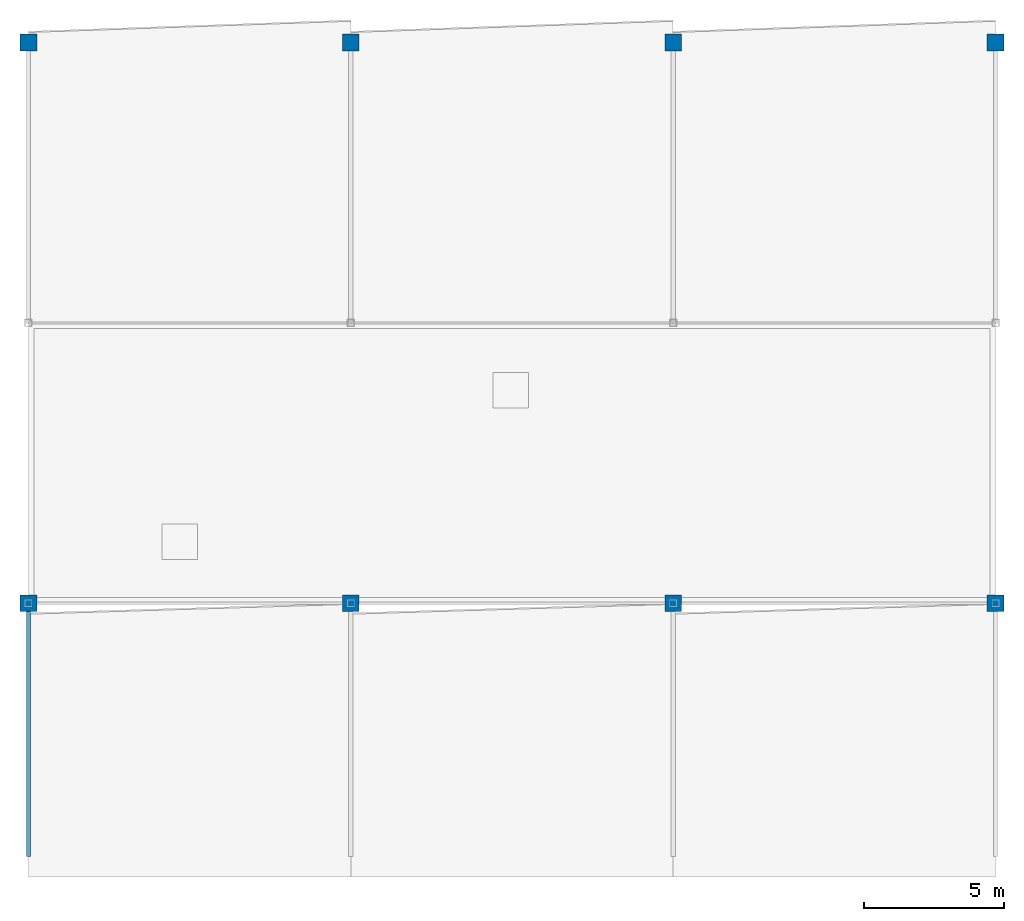
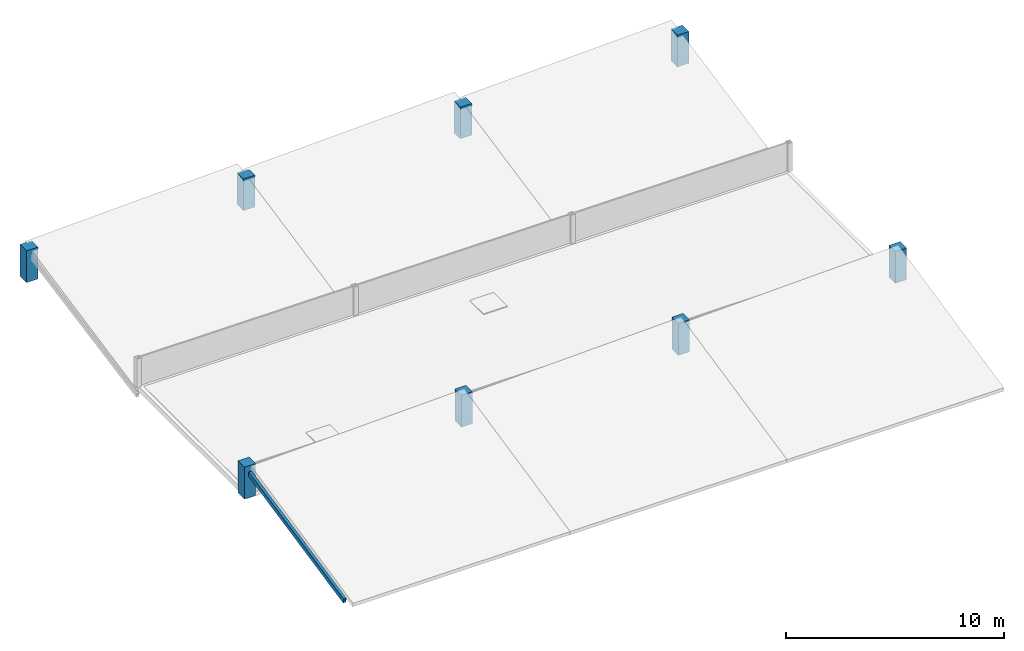
# One storey, part 1 of 6: 8 columns, 1 member.
"""IFC4 building model written with IfcOpenShell, lengths in metres."""

import ifcopenshell
import ifcopenshell.guid

model = None  # the IFC model being written
_history = None  # IfcOwnerHistory: only IFC2X3 demands one
_inside = {}  # id of a spatial element -> (the spatial element, [elements in it])
_under = {}  # id of a project, library or spatial element -> (it, [spatial elements below it])
_declared = {}  # id of a project -> (the project, [libraries it declares])
_typed = {}  # id of a type object -> (the type object, [elements of that type])
_made_of = {}  # id of a material, layer set ... -> (it, [elements and type objects made of it])


def new_model(schema):
    """Start an empty IFC model of exactly this schema.

    Asked for "IFC4X3", IfcOpenShell would pick the latest addendum, in which some entities
    have other attributes; the version numbers below select the first issue.
    IFC2X3 requires an IfcOwnerHistory on every rooted entity: one is made here for all.
    """
    global model, _history
    if schema == "IFC4X3":
        model = ifcopenshell.file(schema_version=(4, 3, 0, 0))
    else:
        model = ifcopenshell.file(schema=schema)
    _inside.clear()
    _under.clear()
    _declared.clear()
    _typed.clear()
    _made_of.clear()
    _history = None
    if model.schema == "IFC2X3":
        org = make("IfcOrganization", Name="unknown")
        user = make(
            "IfcPersonAndOrganization",
            ThePerson=make("IfcPerson", FamilyName="unknown"),
            TheOrganization=org,
        )
        app = make(
            "IfcApplication",
            ApplicationDeveloper=org,
            Version="unknown",
            ApplicationFullName="unknown",
            ApplicationIdentifier="unknown",
        )
        _history = make(
            "IfcOwnerHistory",
            OwningUser=user,
            OwningApplication=app,
            ChangeAction="ADDED",
            CreationDate=0,
        )
    return model


def make(cls, **values):
    """One entity of the class cls with the attributes given. An attribute that is None is left unset."""
    return model.create_entity(
        cls, **{name: value for name, value in values.items() if value is not None}
    )


def rooted(cls, **values):
    """An entity with a GlobalId (a new one), such as an element, a storey or a relation."""
    return make(cls, GlobalId=ifcopenshell.guid.new(), OwnerHistory=_history, **values)


def si_unit(unit_type, name, prefix=None):
    """IfcSIUnit, for example si_unit("LENGTHUNIT", "METRE", prefix="MILLI")."""
    return make("IfcSIUnit", UnitType=unit_type, Prefix=prefix, Name=name)


def assignment(units):
    """IfcUnitAssignment: the units of a project."""
    return None if units is None else make("IfcUnitAssignment", Units=units)


def point(xyz):
    """IfcCartesianPoint."""
    return None if xyz is None else make("IfcCartesianPoint", Coordinates=xyz)


def direction(xyz):
    """IfcDirection."""
    return None if xyz is None else make("IfcDirection", DirectionRatios=xyz)


def frame(location, z_axis=None, x_axis=None):
    """IfcAxis2Placement3D, a coordinate frame: its origin and axes. An axis left out is left unset."""
    return make(
        "IfcAxis2Placement3D",
        Location=point(location),
        Axis=direction(z_axis),
        RefDirection=direction(x_axis),
    )


def frame_2d(location, x_axis=None):
    """IfcAxis2Placement2D, a coordinate frame in the plane: its origin and x axis."""
    return make(
        "IfcAxis2Placement2D", Location=point(location), RefDirection=direction(x_axis)
    )


def origin():
    """The frame at (0, 0, 0) with its axes left unset."""
    return frame((0.0, 0.0, 0.0))


def origin_2d():
    """The frame at (0, 0) in the plane with its x axis left unset."""
    return frame_2d((0.0, 0.0))


def place(relative_to, where):
    """IfcLocalPlacement: puts the frame where relative to a parent placement (None: the world)."""
    return make(
        "IfcLocalPlacement", PlacementRelTo=relative_to, RelativePlacement=where
    )


def context(
    kind, dimensions, precision=None, world=None, true_north=None, identifier=None
):
    """IfcGeometricRepresentationContext, for example the 3D "Model" context."""
    return make(
        "IfcGeometricRepresentationContext",
        ContextIdentifier=identifier,
        ContextType=kind,
        CoordinateSpaceDimension=dimensions,
        Precision=precision,
        WorldCoordinateSystem=world,
        TrueNorth=true_north,
    )


def subcontext(parent, identifier, kind, view, scale=None):
    """IfcGeometricRepresentationSubContext, for example "Body" below "Model"."""
    return make(
        "IfcGeometricRepresentationSubContext",
        ContextIdentifier=identifier,
        ContextType=kind,
        ParentContext=parent,
        TargetScale=scale,
        TargetView=view,
    )


def project(units=None, contexts=None):
    """IfcProject with its units and contexts."""
    return rooted(
        "IfcProject",
        Name="project",
        RepresentationContexts=contexts,
        UnitsInContext=assignment(units),
    )


def spatial(cls, under=None, at=None, **own):
    """A site, building, storey or space (cls), placed at a placement, below another one or the project."""
    s = rooted(cls, ObjectPlacement=at, **own)
    if under is not None:
        _under.setdefault(under.id(), (under, []))[1].append(s)
    return s


def profile(cls, at=None, kind="AREA", **sizes):
    """A parametric profile (cls). Its sizes go by their IFC names, for example OverallWidth=200.0."""
    return make(cls, ProfileType=kind, Position=at, **sizes)


def rectangle(**sizes):
    """IfcRectangleProfileDef."""
    return profile("IfcRectangleProfileDef", **sizes)


def hollow_rectangle(**sizes):
    """IfcRectangleHollowProfileDef."""
    return profile("IfcRectangleHollowProfileDef", **sizes)


def extrude(swept, where, along, depth):
    """IfcExtrudedAreaSolid: the profile swept, set in the frame where, extruded along a direction by depth."""
    return make(
        "IfcExtrudedAreaSolid",
        SweptArea=swept,
        Position=where,
        ExtrudedDirection=direction(along),
        Depth=depth,
    )


def shape(context_of_items, identifier, shape_type, items):
    """IfcShapeRepresentation: the items that make up one representation, for example the "Body"."""
    return make(
        "IfcShapeRepresentation",
        ContextOfItems=context_of_items,
        RepresentationIdentifier=identifier,
        RepresentationType=shape_type,
        Items=items,
    )


def material(Name=None, Category=None):
    """IfcMaterial."""
    return make("IfcMaterial", Name=Name, Category=Category)


def material_profile(
    of_material, cross_section, Name=None, Category=None, Priority=None
):
    """IfcMaterialProfile: a cross section and its material."""
    return make(
        "IfcMaterialProfile",
        Name=Name,
        Material=of_material,
        Profile=cross_section,
        Priority=Priority,
        Category=Category,
    )


def profile_set(profiles, Name=None, composite=None):
    """IfcMaterialProfileSet."""
    return make(
        "IfcMaterialProfileSet",
        Name=Name,
        MaterialProfiles=profiles,
        CompositeProfile=composite,
    )


def made_of(thing, what):
    """Note that an element or type object is made of a material, layer set ...; save() writes the relation."""
    if what is not None:
        _made_of.setdefault(what.id(), (what, []))[1].append(thing)
    return thing


def type_object(cls, material=None, **own):
    """A type object (cls), such as IfcWallType, which elements share."""
    return made_of(rooted(cls, **own), material)


def element(
    cls,
    number,
    at=None,
    inside=None,
    cuts=None,
    type_object=None,
    material=None,
    context=None,
    identifier="Body",
    shape_type=None,
    held_by="IfcProductDefinitionShape",
    body=None,
    shapes=None,
    **own,
):
    """One element of the class cls, such as IfcWall. Its Tag is "e" and its number.

    at: its placement. inside: the storey or other place that contains it. cuts: it is an
    opening in that element (IfcRelVoidsElement). A single representation is given by context,
    identifier, shape_type and body (its items); several are given by shapes. held_by: the class
    of the entity that holds the representations. save() writes the other relations.
    """
    e = rooted(cls, Tag="e%d" % number, ObjectPlacement=at, **own)
    if body is not None:
        shapes = [shape(context, identifier, shape_type, body)]
    if shapes is not None:
        e.Representation = make(held_by, Representations=shapes)
    if inside is not None:
        _inside.setdefault(inside.id(), (inside, []))[1].append(e)
    if cuts is not None:
        rooted(
            "IfcRelVoidsElement", RelatingBuildingElement=cuts, RelatedOpeningElement=e
        )
    if type_object is not None:
        _typed.setdefault(type_object.id(), (type_object, []))[1].append(e)
    return made_of(e, material)


def aggregate(whole, parts):
    """IfcRelAggregates: a whole, such as a stair, and the parts it consists of."""
    return rooted("IfcRelAggregates", RelatingObject=whole, RelatedObjects=parts)


def save(model, path):
    """Write the relations noted so far, then the file.

    IfcRelAggregates (storeys below a building ...), IfcRelContainedInSpatialStructure (elements
    in a storey), IfcRelDefinesByType, IfcRelAssociatesMaterial and IfcRelDeclares: one each for
    every whole, place, type object, material and project.
    """
    for whole, parts in _under.values():
        aggregate(whole, parts)
    for where, things in _inside.values():
        rooted(
            "IfcRelContainedInSpatialStructure",
            RelatedElements=things,
            RelatingStructure=where,
        )
    for kind, things in _typed.values():
        rooted("IfcRelDefinesByType", RelatedObjects=things, RelatingType=kind)
    for what, things in _made_of.values():
        rooted("IfcRelAssociatesMaterial", RelatedObjects=things, RelatingMaterial=what)
    for by, libraries in _declared.values():
        rooted("IfcRelDeclares", RelatingContext=by, RelatedDefinitions=libraries)
    model.write(path)


model = new_model("IFC4")

# Units and contexts
model_context = context("Model", 3, precision=1e-05, world=origin(), true_north=direction((0.0, 1.0)))
body_context = subcontext(model_context, "Body", "Model", "MODEL_VIEW")
ifc_project = project(units=[si_unit("LENGTHUNIT", "METRE"), si_unit("AREAUNIT", "SQUARE_METRE"), si_unit("VOLUMEUNIT", "CUBIC_METRE"), si_unit("PLANEANGLEUNIT", "RADIAN"), si_unit("MASSUNIT", "GRAM", prefix="KILO")], contexts=[model_context])

# Site, building, storey
site_placement = place(None, origin())
site = spatial("IfcSite", under=ifc_project, at=site_placement, CompositionType="ELEMENT")
building_placement = place(site_placement, origin())
building = spatial("IfcBuilding", under=site, at=building_placement, Name="Ologun Quay Terminus", CompositionType="ELEMENT")
storey_placement = place(building_placement, frame((0.0, 0.0, 26.89990234375)))
storey = spatial("IfcBuildingStorey", under=building, at=storey_placement, Name="ROOF", CompositionType="ELEMENT", Elevation=26.89990234375)

# Columns
ifc_material_1 = material(Name="Concrete C40/50", Category="concrete")
ifc_material_profile_1 = material_profile(ifc_material_1, rectangle(XDim=0.60009765625, YDim=0.60009765625, at=origin_2d()), Name="RC 600x600")
ifc_profile_set_1 = profile_set([ifc_material_profile_1], Name="Concrete C40/50")
column_type = type_object("IfcColumnType", Name="Podium Retail Column 600x600", PredefinedType="COLUMN", material=ifc_profile_set_1)
for number, where, z_axis, x_axis, name in (
    (1, (115.0, 94.800048828125, 0.0), (0.0, 0.0, 1.0), (1.0, 0.0, 0.0), "C7 Roof Ridge Stub ROOF-EWNG-11-GHB"),
    (2, (115.0, 114.800048828125, 0.0), (0.0, 0.0, 1.0), (1.0, 0.0, 0.0), "C7 Roof Ridge Stub ROOF-EWNG-11-JKB"),
    (3, (126.5, 94.800048828125, 0.0), (0.0, 0.0, 1.0), (1.0, 0.0, 0.0), "C7 Roof Ridge Stub ROOF-EWNG-12-GHB"),
    (4, (126.5, 114.800048828125, 0.0), (0.0, 0.0, 1.0), (1.0, 0.0, 0.0), "C7 Roof Ridge Stub ROOF-EWNG-12-JKB"),
    (5, (138.0, 94.800048828125, 0.0), (0.0, 0.0, 1.0), (1.0, 0.0, 0.0), "C7 Roof Ridge Stub ROOF-EWNG-13-GHB"),
    (6, (138.0, 114.800048828125, 0.0), (0.0, 0.0, 1.0), (1.0, 0.0, 0.0), "C7 Roof Ridge Stub ROOF-EWNG-13-JKB"),
    (7, (149.5, 94.800048828125, 0.0), (0.0, 0.0, 1.0), (1.0, 0.0, 0.0), "C7 Roof Ridge Stub ROOF-EWNG-14-GHB"),
    (8, (149.5, 114.800048828125, 0.0), (0.0, 0.0, 1.0), (1.0, 0.0, 0.0), "C7 Roof Ridge Stub ROOF-EWNG-14-JKB"),
):
    element("IfcColumn", number, at=place(storey_placement, frame(where, z_axis=z_axis, x_axis=x_axis)), inside=storey, type_object=column_type, Name=name, PredefinedType="COLUMN", context=body_context, shape_type="SweptSolid", body=[
        extrude(rectangle(XDim=0.60009765625, YDim=0.60009765625, at=origin_2d()), origin(), (0.0, 0.0, 1.0), 1.780029296875),
    ])

# Member
ifc_material_2 = material(Name="Steel S355", Category="steel")
ifc_material_profile_2 = material_profile(ifc_material_2, hollow_rectangle(XDim=0.14990234375, YDim=0.25, WallThickness=0.008056640625, at=origin_2d()), Name="RHS 250x150x8")
ifc_profile_set_2 = profile_set([ifc_material_profile_2], Name="Steel S355")
member_type = type_object("IfcMemberType", Name="Skylight Longitudinal Glazing Bar RHS200", PredefinedType="PURLIN", material=ifc_profile_set_2)
member_placement = place(storey_placement, frame((115.0, 85.800048828125, -0.5205078125), z_axis=(0.0, 0.978431065585, 0.206573594386), x_axis=(-1.0, 0.0, 0.0)))
element("IfcMember", 9, at=member_placement, inside=storey, type_object=member_type, Name="SK1 Inclined Roof Rafter ROOF-EWNG-11-GH", PredefinedType="PURLIN", context=body_context, shape_type="SweptSolid", body=[
    extrude(hollow_rectangle(XDim=0.14990234375, YDim=0.25, WallThickness=0.008056640625, at=origin_2d()), origin(), (0.0, 0.0, 1.0), 9.198486328125),
])

save(model, "model.ifc")
